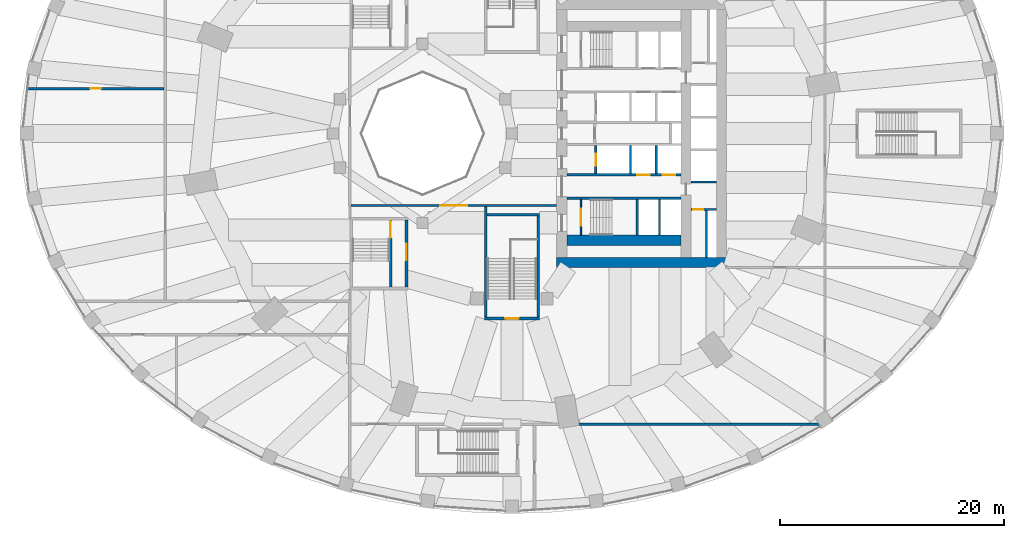
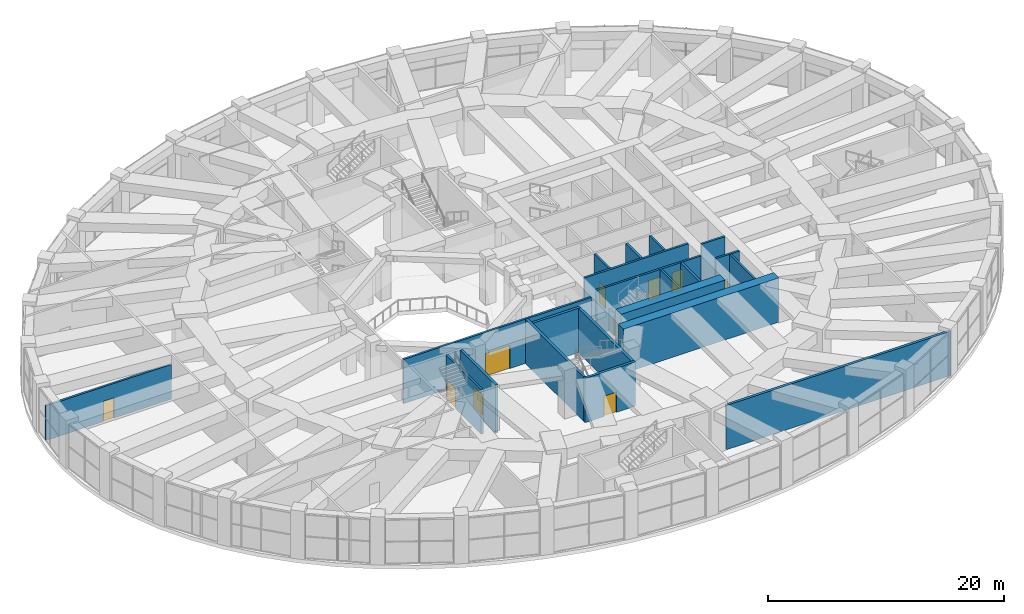
# One storey, part 22 of 32: 22 walls, 10 doors, 10 openings.
"""IFC4 building model written with IfcOpenShell, lengths in metres."""

from ifc_helpers import new_model, si_unit, direction, frame, frame_2d, origin, place, context, subcontext, project, spatial, rectangle, extrude, material, layer, layer_set, type_object, element, fill, save


model = new_model("IFC4")

# Units and contexts
model_context = context("Model", 3, precision=1e-05, world=origin(), true_north=direction((0.0, 1.0)))
body_context = subcontext(model_context, "Body", "Model", "MODEL_VIEW")
ifc_project = project(units=[si_unit("LENGTHUNIT", "METRE"), si_unit("AREAUNIT", "SQUARE_METRE"), si_unit("VOLUMEUNIT", "CUBIC_METRE"), si_unit("PLANEANGLEUNIT", "RADIAN"), si_unit("MASSUNIT", "GRAM", prefix="KILO")], contexts=[model_context])

# Site, building, storey
site_placement = place(None, origin())
site = spatial("IfcSite", under=ifc_project, at=site_placement, CompositionType="ELEMENT")
building_placement = place(site_placement, origin())
building = spatial("IfcBuilding", under=site, at=building_placement, Name="Taillehof Tower", CompositionType="ELEMENT")
storey_placement = place(building_placement, frame((0.0, 0.0, 7.5)))
storey = spatial("IfcBuildingStorey", under=building, at=storey_placement, Name="L01", CompositionType="ELEMENT", Elevation=7.5)

# Wall, opening, door
ifc_material_1 = material(Name="Calcium silicate blockwork", Category="masonry")
ifc_layer_1 = layer(ifc_material_1, 0.199951171875)
ifc_layer_set_1 = layer_set([ifc_layer_1], Name="Compartment wall EI 60 200 mm")
wall_type_1 = type_object("IfcWallType", Name="Compartment wall EI 60 200 mm", PredefinedType="PARTITIONING", material=ifc_layer_set_1)
wall_1_placement = place(storey_placement, frame((-14.39990234375, -6.449951171875, 0.0), z_axis=(0.0, 0.0, 1.0), x_axis=(1.0, 0.0, 0.0)))
wall_1 = element("IfcWall", 1, at=wall_1_placement, inside=storey, type_object=wall_type_1, Name="Wall L01-17 / L01-27", PredefinedType="PARTITIONING", context=body_context, shape_type="SweptSolid", body=[
    extrude(rectangle(XDim=18.40185546875, YDim=0.199951171875, at=frame_2d((9.200927734375, 0.0))), origin(), (0.0, 0.0, 1.0), 4.590087890625),
])
opening_1_placement = place(wall_1_placement, frame((8.0009765625, 0.0, 0.0)))
opening_1 = element("IfcOpeningElement", 2, at=opening_1_placement, cuts=wall_1, Name="Opening D0151", PredefinedType="OPENING", context=body_context, shape_type="SweptSolid", body=[
    extrude(rectangle(XDim=2.39990234375, YDim=2.39990234375, at=frame_2d((1.199951171875, 1.199951171875))), frame((0.0, 0.10986328125, 0.0), z_axis=(0.0, -1.0, 0.0), x_axis=(1.0, 0.0, 0.0)), (0.0, 0.0, 1.0), 0.219970703125),
])
ifc_material_2 = material(Name="Glazed aluminium door set", Category="aluminium")
door_type_1 = type_object("IfcDoorType", Name="Glazed double door 2400 x 2400 FD60S", OperationType="DOUBLE_DOOR_SINGLE_SWING", PredefinedType="DOOR", material=ifc_material_2)
door_1_placement = place(opening_1_placement, origin())
door_1 = element("IfcDoor", 3, at=door_1_placement, inside=storey, type_object=door_type_1, Name="Door D0151", OperationType="DOUBLE_DOOR_SINGLE_SWING", OverallHeight=2.39990234375, OverallWidth=2.39990234375, PredefinedType="DOOR", context=body_context, shape_type="SweptSolid", body=[
    extrude(rectangle(XDim=2.39990234375, YDim=2.39990234375, at=frame_2d((1.199951171875, 1.199951171875))), frame((0.0, 0.02490234375, 0.0), z_axis=(0.0, -1.0, 0.0), x_axis=(1.0, 0.0, 0.0)), (0.0, 0.0, 1.0), 0.050048828125),
])
fill(opening_1, door_1)

wall_2_placement = place(storey_placement, frame((-43.37158203125, 4.0, 0.0), z_axis=(0.0, 0.0, 1.0), x_axis=(1.0, 0.0, 0.0)))
wall_2 = element("IfcWall", 4, at=wall_2_placement, inside=storey, type_object=wall_type_1, Name="Wall L01-18 / L01-19", PredefinedType="PARTITIONING", context=body_context, shape_type="SweptSolid", body=[
    extrude(rectangle(XDim=12.271484375, YDim=0.199951171875, at=frame_2d((6.1357421875, 0.0))), origin(), (0.0, 0.0, 1.0), 3.590087890625),
])
opening_2_placement = place(wall_2_placement, frame((5.635498046875, 0.0, 0.0)))
opening_2 = element("IfcOpeningElement", 5, at=opening_2_placement, cuts=wall_2, Name="Opening D0155", PredefinedType="OPENING", context=body_context, shape_type="SweptSolid", body=[
    extrude(rectangle(XDim=1.0, YDim=2.10009765625, at=frame_2d((0.5, 1.050048828125))), frame((0.0, 0.10986328125, 0.0), z_axis=(0.0, -1.0, 0.0), x_axis=(1.0, 0.0, 0.0)), (0.0, 0.0, 1.0), 0.219970703125),
])
ifc_material_3 = material(Name="Hollow metal door set")
door_type_2 = type_object("IfcDoorType", Name="Single door 1000 x 2100 FD60S", OperationType="SINGLE_SWING_LEFT", PredefinedType="DOOR", material=ifc_material_3)
door_2_placement = place(opening_2_placement, origin())
door_2 = element("IfcDoor", 6, at=door_2_placement, inside=storey, type_object=door_type_2, Name="Door D0155", OperationType="SINGLE_SWING_RIGHT", OverallHeight=2.10009765625, OverallWidth=1.0, PredefinedType="DOOR", context=body_context, shape_type="SweptSolid", body=[
    extrude(rectangle(XDim=1.0, YDim=2.10009765625, at=frame_2d((0.5, 1.050048828125))), frame((0.0, 0.02490234375, 0.0), z_axis=(0.0, -1.0, 0.0), x_axis=(1.0, 0.0, 0.0)), (0.0, 0.0, 1.0), 0.050048828125),
])
fill(opening_2, door_2)

ifc_material_4 = material(Name="Calcium silicate masonry", Category="masonry")
ifc_layer_2 = layer(ifc_material_4, 0.199951171875)
ifc_layer_set_2 = layer_set([ifc_layer_2], Name="Compartment wall calcium silicate 200")
wall_type_2 = type_object("IfcWallType", Name="Compartment wall calcium silicate 200", PredefinedType="PARTITIONING", material=ifc_layer_set_2)
wall_3_placement = place(storey_placement, frame((16.0, -6.800048828125, 0.0), z_axis=(0.0, 0.0, 1.0), x_axis=(1.0, 0.0, 0.0)))
wall_3 = element("IfcWall", 7, at=wall_3_placement, inside=storey, type_object=wall_type_2, Name="Compartment wall FW", PredefinedType="PARTITIONING", context=body_context, shape_type="SweptSolid", body=[
    extrude(rectangle(XDim=2.300048828125, YDim=0.199951171875, at=frame_2d((1.14990234375, 0.0))), origin(), (0.0, 0.0, 1.0), 4.590087890625),
])
opening_3_placement = place(wall_3_placement, frame((0.199951171875, 0.0, 0.0)))
opening_3 = element("IfcOpeningElement", 8, at=opening_3_placement, cuts=wall_3, Name="Opening D0116", PredefinedType="OPENING", context=body_context, shape_type="SweptSolid", body=[
    extrude(rectangle(XDim=0.89990234375, YDim=2.10009765625, at=frame_2d((0.449951171875, 1.050048828125))), frame((0.0, 0.10986328125, 0.0), z_axis=(0.0, -1.0, 0.0), x_axis=(1.0, 0.0, 0.0)), (0.0, 0.0, 1.0), 0.219970703125),
])
ifc_material_5 = material(Name="Steel-faced fire door", Category="steel")
door_type_3 = type_object("IfcDoorType", Name="Riser and service room door 900x2100", OperationType="SINGLE_SWING_LEFT", PredefinedType="DOOR", material=ifc_material_5)
door_3_placement = place(opening_3_placement, origin())
door_3 = element("IfcDoor", 9, at=door_3_placement, inside=storey, type_object=door_type_3, Name="Door Linen Store", OperationType="SINGLE_SWING_LEFT", OverallHeight=2.10009765625, OverallWidth=0.89990234375, PredefinedType="DOOR", context=body_context, shape_type="SweptSolid", body=[
    extrude(rectangle(XDim=0.89990234375, YDim=2.10009765625, at=frame_2d((0.449951171875, 1.050048828125))), frame((0.0, 0.02490234375, 0.0), z_axis=(0.0, -1.0, 0.0), x_axis=(1.0, 0.0, 0.0)), (0.0, 0.0, 1.0), 0.050048828125),
])
fill(opening_3, door_3)

# Walls
wall_4_placement = place(storey_placement, frame((17.39990234375, -11.10009765625, 0.0), z_axis=(0.0, 0.0, 1.0), x_axis=(0.0, 1.0, 0.0)))
element("IfcWall", 10, at=wall_4_placement, inside=storey, type_object=wall_type_2, Name="Compartment wall FW", PredefinedType="PARTITIONING", context=body_context, shape_type="SweptSolid", body=[
    extrude(rectangle(XDim=4.2001953125, YDim=0.199951171875, at=frame_2d((2.10009765625, 0.0))), origin(), (0.0, 0.0, 1.0), 4.590087890625),
])
ifc_material_6 = material(Name="Concrete C80/95", Category="concrete")
ifc_layer_3 = layer(ifc_material_6, 0.89990234375)
ifc_layer_set_3 = layer_set([ifc_layer_3], Name="Core wall C80/95 900")
wall_type_3 = type_object("IfcWallType", Name="Core wall C80/95 900", PredefinedType="SHEAR", material=ifc_layer_set_3)
wall_5_placement = place(storey_placement, frame((4.0, -11.550048828125, 0.0), z_axis=(0.0, 0.0, 1.0), x_axis=(1.0, 0.0, 0.0)))
element("IfcWall", 11, at=wall_5_placement, inside=storey, type_object=wall_type_3, Name="Core wall CW04", PredefinedType="SHEAR", context=body_context, shape_type="SweptSolid", body=[
    extrude(rectangle(XDim=15.199951171875, YDim=0.89990234375, at=frame_2d((7.60009765625, 0.0))), origin(), (0.0, 0.0, 1.0), 4.590087890625),
])
wall_6_placement = place(storey_placement, frame((4.89990234375, -9.550048828125, 0.0), z_axis=(0.0, 0.0, 1.0), x_axis=(1.0, 0.0, 0.0)))
element("IfcWall", 12, at=wall_6_placement, inside=storey, type_object=wall_type_3, Name="Core wall CW07", PredefinedType="SHEAR", context=body_context, shape_type="SweptSolid", body=[
    extrude(rectangle(XDim=10.2001953125, YDim=0.89990234375, at=frame_2d((5.10009765625, 0.0))), origin(), (0.0, 0.0, 1.0), 4.590087890625),
])
ifc_material_7 = material(Name="Calcium silicate blockwork", Category="masonry")
ifc_layer_4 = layer(ifc_material_7, 0.25)
ifc_layer_set_4 = layer_set([ifc_layer_4], Name="Fire-resisting wall EI 120 250 mm")
wall_type_4 = type_object("IfcWallType", Name="Fire-resisting wall EI 120 250 mm", PredefinedType="PARTITIONING", material=ifc_layer_set_4)
wall_7_placement = place(storey_placement, frame((5.897216796875, -26.0, 0.0), z_axis=(0.0, 0.0, 1.0), x_axis=(1.0, 0.0, 0.0)))
element("IfcWall", 13, at=wall_7_placement, inside=storey, type_object=wall_type_4, Name="Wall L01-15 / L01-17", PredefinedType="PARTITIONING", context=body_context, shape_type="SweptSolid", body=[
    extrude(rectangle(XDim=22.008544921875, YDim=0.25, at=frame_2d((11.00439453125, 0.0))), origin(), (0.0, 0.0, 1.0), 4.590087890625),
])

# Wall, openings, doors
ifc_material_8 = material(Name="Concrete C50/60", Category="concrete")
ifc_layer_5 = layer(ifc_material_8, 0.199951171875)
ifc_layer_set_5 = layer_set([ifc_layer_5], Name="Shaft wall C50/60 200")
wall_type_5 = type_object("IfcWallType", Name="Shaft wall C50/60 200", PredefinedType="SHEAR", material=ifc_layer_set_5)
wall_8_placement = place(storey_placement, frame((4.89990234375, -3.699951171875, 0.0), z_axis=(0.0, 0.0, 1.0), x_axis=(1.0, 0.0, 0.0)))
wall_8 = element("IfcWall", 14, at=wall_8_placement, inside=storey, type_object=wall_type_5, Name="Shaft wall SW", PredefinedType="SHEAR", context=body_context, shape_type="SweptSolid", body=[
    extrude(rectangle(XDim=10.2001953125, YDim=0.199951171875, at=frame_2d((5.10009765625, 0.0))), origin(), (0.0, 0.0, 1.0), 4.590087890625),
])
opening_4_placement = place(wall_8_placement, frame((6.300048828125, 0.0, 0.0)))
opening_4 = element("IfcOpeningElement", 15, at=opening_4_placement, cuts=wall_8, Name="Opening LD1", PredefinedType="OPENING", context=body_context, shape_type="SweptSolid", body=[
    extrude(rectangle(XDim=1.10009765625, YDim=2.10009765625, at=frame_2d((0.550048828125, 1.050048828125))), frame((0.0, 0.10986328125, 0.0), z_axis=(0.0, -1.0, 0.0), x_axis=(1.0, 0.0, 0.0)), (0.0, 0.0, 1.0), 0.219970703125),
])
opening_5_placement = place(wall_8_placement, frame((8.60009765625, 0.0, 0.0)))
opening_5 = element("IfcOpeningElement", 16, at=opening_5_placement, cuts=wall_8, Name="Opening LD1", PredefinedType="OPENING", context=body_context, shape_type="SweptSolid", body=[
    extrude(rectangle(XDim=1.10009765625, YDim=2.10009765625, at=frame_2d((0.550048828125, 1.050048828125))), frame((0.0, 0.10986328125, 0.0), z_axis=(0.0, -1.0, 0.0), x_axis=(1.0, 0.0, 0.0)), (0.0, 0.0, 1.0), 0.219970703125),
])
ifc_material_9 = material(Name="Stainless steel", Category="steel")
door_type_4 = type_object("IfcDoorType", Name="Lift landing door LD1 1100x2100", OperationType="DOUBLE_DOOR_SLIDING", PredefinedType="DOOR", material=ifc_material_9)
door_4_placement = place(opening_4_placement, origin())
door_4 = element("IfcDoor", 17, at=door_4_placement, inside=storey, type_object=door_type_4, Name="Landing door LR5", OperationType="DOUBLE_DOOR_SLIDING", OverallHeight=2.10009765625, OverallWidth=1.10009765625, PredefinedType="DOOR", context=body_context, shape_type="SweptSolid", body=[
    extrude(rectangle(XDim=1.10009765625, YDim=2.10009765625, at=frame_2d((0.550048828125, 1.050048828125))), frame((0.0, 0.02490234375, 0.0), z_axis=(0.0, -1.0, 0.0), x_axis=(1.0, 0.0, 0.0)), (0.0, 0.0, 1.0), 0.050048828125),
])
fill(opening_4, door_4)
door_5_placement = place(opening_5_placement, origin())
door_5 = element("IfcDoor", 18, at=door_5_placement, inside=storey, type_object=door_type_4, Name="Landing door LR6", OperationType="DOUBLE_DOOR_SLIDING", OverallHeight=2.10009765625, OverallWidth=1.10009765625, PredefinedType="DOOR", context=body_context, shape_type="SweptSolid", body=[
    extrude(rectangle(XDim=1.10009765625, YDim=2.10009765625, at=frame_2d((0.550048828125, 1.050048828125))), frame((0.0, 0.02490234375, 0.0), z_axis=(0.0, -1.0, 0.0), x_axis=(1.0, 0.0, 0.0)), (0.0, 0.0, 1.0), 0.050048828125),
])
fill(opening_5, door_5)

# Walls
wall_9_placement = place(storey_placement, frame((4.89990234375, -5.800048828125, 0.0), z_axis=(0.0, 0.0, 1.0), x_axis=(1.0, 0.0, 0.0)))
element("IfcWall", 19, at=wall_9_placement, inside=storey, type_object=wall_type_5, Name="Shaft wall SW", PredefinedType="SHEAR", context=body_context, shape_type="SweptSolid", body=[
    extrude(rectangle(XDim=10.2001953125, YDim=0.199951171875, at=frame_2d((5.10009765625, 0.0))), origin(), (0.0, 0.0, 1.0), 4.590087890625),
])
for number, where, z_axis, x_axis, name in (
    (20, (11.199951171875, -9.10009765625, 0.0), (0.0, 0.0, 1.0), (0.0, 1.0, 0.0), "Shaft wall SW"),
    (21, (13.199951171875, -9.10009765625, 0.0), (0.0, 0.0, 1.0), (0.0, 1.0, 0.0), "Shaft wall SW"),
):
    element("IfcWall", number, at=place(storey_placement, frame(where, z_axis=z_axis, x_axis=x_axis)), inside=storey, type_object=wall_type_5, Name=name, PredefinedType="SHEAR", context=body_context, shape_type="SweptSolid", body=[
        extrude(rectangle(XDim=3.2001953125, YDim=0.199951171875, at=frame_2d((1.60009765625, 0.0))), origin(), (0.0, 0.0, 1.0), 4.590087890625),
    ])

# Wall, opening, door
wall_10_placement = place(storey_placement, frame((7.5, -3.60009765625, 0.0), z_axis=(0.0, 0.0, 1.0), x_axis=(0.0, 1.0, 0.0)))
wall_10 = element("IfcWall", 22, at=wall_10_placement, inside=storey, type_object=wall_type_5, Name="Shaft wall SW", PredefinedType="SHEAR", context=body_context, shape_type="SweptSolid", body=[
    extrude(rectangle(XDim=2.5, YDim=0.199951171875, at=frame_2d((1.25, 0.0))), origin(), (0.0, 0.0, 1.0), 4.590087890625),
])
opening_6_placement = place(wall_10_placement, frame((0.699951171875, 0.0, 0.0)))
opening_6 = element("IfcOpeningElement", 23, at=opening_6_placement, cuts=wall_10, Name="Opening LD1", PredefinedType="OPENING", context=body_context, shape_type="SweptSolid", body=[
    extrude(rectangle(XDim=1.10009765625, YDim=2.10009765625, at=frame_2d((0.550048828125, 1.050048828125))), frame((0.0, 0.10986328125, 0.0), z_axis=(0.0, -1.0, 0.0), x_axis=(1.0, 0.0, 0.0)), (0.0, 0.0, 1.0), 0.219970703125),
])
door_6_placement = place(opening_6_placement, origin())
door_6 = element("IfcDoor", 24, at=door_6_placement, inside=storey, type_object=door_type_4, Name="Landing door FF2", OperationType="DOUBLE_DOOR_SLIDING", OverallHeight=2.10009765625, OverallWidth=1.10009765625, PredefinedType="DOOR", context=body_context, shape_type="SweptSolid", body=[
    extrude(rectangle(XDim=1.10009765625, YDim=2.10009765625, at=frame_2d((0.550048828125, 1.050048828125))), frame((0.0, 0.02490234375, 0.0), z_axis=(0.0, -1.0, 0.0), x_axis=(1.0, 0.0, 0.0)), (0.0, 0.0, 1.0), 0.050048828125),
])
fill(opening_6, door_6)

# Walls
for number, where, z_axis, x_axis, name in (
    (25, (10.60009765625, -3.60009765625, 0.0), (0.0, 0.0, 1.0), (0.0, 1.0, 0.0), "Shaft wall SW"),
    (26, (12.89990234375, -3.60009765625, 0.0), (0.0, 0.0, 1.0), (0.0, 1.0, 0.0), "Shaft wall SW"),
):
    element("IfcWall", number, at=place(storey_placement, frame(where, z_axis=z_axis, x_axis=x_axis)), inside=storey, type_object=wall_type_5, Name=name, PredefinedType="SHEAR", context=body_context, shape_type="SweptSolid", body=[
        extrude(rectangle(XDim=2.5, YDim=0.199951171875, at=frame_2d((1.25, 0.0))), origin(), (0.0, 0.0, 1.0), 4.590087890625),
    ])

# Wall, opening, door
wall_11_placement = place(storey_placement, frame((-10.85009765625, -13.75, 0.0), z_axis=(0.0, 0.0, 1.0), x_axis=(0.0, 1.0, 0.0)))
wall_11 = element("IfcWall", 27, at=wall_11_placement, inside=storey, type_object=wall_type_5, Name="Shaft wall SW", PredefinedType="SHEAR", context=body_context, shape_type="SweptSolid", body=[
    extrude(rectangle(XDim=6.0, YDim=0.199951171875, at=frame_2d((3.0, 0.0))), origin(), (0.0, 0.0, 1.0), 4.590087890625),
])
opening_7_placement = place(wall_11_placement, frame((4.39990234375, 0.0, 0.0)))
opening_7 = element("IfcOpeningElement", 28, at=opening_7_placement, cuts=wall_11, Name="Opening D0111", PredefinedType="OPENING", context=body_context, shape_type="SweptSolid", body=[
    extrude(rectangle(XDim=1.5, YDim=2.10009765625, at=frame_2d((0.75, 1.050048828125))), frame((0.0, 0.10986328125, 0.0), z_axis=(0.0, -1.0, 0.0), x_axis=(1.0, 0.0, 0.0)), (0.0, 0.0, 1.0), 0.219970703125),
])
ifc_material_10 = material(Name="Steel-faced fire door", Category="steel")
door_type_5 = type_object("IfcDoorType", Name="Stair door 1500x2100", OperationType="DOUBLE_DOOR_SINGLE_SWING", PredefinedType="DOOR", material=ifc_material_10)
door_7_placement = place(opening_7_placement, origin())
door_7 = element("IfcDoor", 29, at=door_7_placement, inside=storey, type_object=door_type_5, Name="Stair lobby door S4", OperationType="DOUBLE_DOOR_SINGLE_SWING", OverallHeight=2.10009765625, OverallWidth=1.5, PredefinedType="DOOR", context=body_context, shape_type="SweptSolid", body=[
    extrude(rectangle(XDim=1.5, YDim=2.10009765625, at=frame_2d((0.75, 1.050048828125))), frame((0.0, 0.02490234375, 0.0), z_axis=(0.0, -1.0, 0.0), x_axis=(1.0, 0.0, 0.0)), (0.0, 0.0, 1.0), 0.050048828125),
])
fill(opening_7, door_7)

# Wall
wall_12_placement = place(storey_placement, frame((16.0, -4.35009765625, 0.0), z_axis=(0.0, 0.0, 1.0), x_axis=(1.0, 0.0, 0.0)))
element("IfcWall", 30, at=wall_12_placement, inside=storey, type_object=wall_type_5, Name="Shaft wall SW", PredefinedType="SHEAR", context=body_context, shape_type="SweptSolid", body=[
    extrude(rectangle(XDim=2.300048828125, YDim=0.199951171875, at=frame_2d((1.14990234375, 0.0))), origin(), (0.0, 0.0, 1.0), 4.590087890625),
])

# Wall, opening, door
ifc_material_11 = material(Name="Concrete C50/60", Category="concrete")
ifc_layer_6 = layer(ifc_material_11, 0.1201171875)
ifc_layer_set_6 = layer_set([ifc_layer_6], Name="Stair lobby wall C50/60 120")
wall_type_6 = type_object("IfcWallType", Name="Stair lobby wall C50/60 120", PredefinedType="SHEAR", material=ifc_layer_set_6)
wall_13_placement = place(storey_placement, frame((6.159912109375, -9.10009765625, 0.0), z_axis=(0.0, 0.0, 1.0), x_axis=(0.0, 1.0, 0.0)))
wall_13 = element("IfcWall", 31, at=wall_13_placement, inside=storey, type_object=wall_type_6, Name="Compartment wall SW", PredefinedType="SHEAR", context=body_context, shape_type="SweptSolid", body=[
    extrude(rectangle(XDim=3.2001953125, YDim=0.1201171875, at=frame_2d((1.60009765625, 0.0))), origin(), (0.0, 0.0, 1.0), 2.2900390625),
])
opening_8_placement = place(wall_13_placement, frame((0.85009765625, 0.0, 0.0)))
opening_8 = element("IfcOpeningElement", 32, at=opening_8_placement, cuts=wall_13, Name="Opening D0109", PredefinedType="OPENING", context=body_context, shape_type="SweptSolid", body=[
    extrude(rectangle(XDim=1.5, YDim=2.10009765625, at=frame_2d((0.75, 1.050048828125))), frame((0.0, 0.070068359375, 0.0), z_axis=(0.0, -1.0, 0.0), x_axis=(1.0, 0.0, 0.0)), (0.0, 0.0, 1.0), 0.14013671875),
])
door_8_placement = place(opening_8_placement, origin())
door_8 = element("IfcDoor", 33, at=door_8_placement, inside=storey, type_object=door_type_5, Name="Stair lobby door S2", OperationType="DOUBLE_DOOR_SINGLE_SWING", OverallHeight=2.10009765625, OverallWidth=1.5, PredefinedType="DOOR", context=body_context, shape_type="SweptSolid", body=[
    extrude(rectangle(XDim=1.5, YDim=2.10009765625, at=frame_2d((0.75, 1.050048828125))), frame((0.0, 0.02490234375, 0.0), z_axis=(0.0, -1.0, 0.0), x_axis=(1.0, 0.0, 0.0)), (0.0, 0.0, 1.0), 0.050048828125),
])
fill(opening_8, door_8)

ifc_material_12 = material(Name="Concrete C50/60", Category="concrete")
ifc_layer_7 = layer(ifc_material_12, 0.25)
ifc_layer_set_7 = layer_set([ifc_layer_7], Name="Stair wall C50/60 250")
wall_type_7 = type_object("IfcWallType", Name="Stair wall C50/60 250", PredefinedType="SHEAR", material=ifc_layer_set_7)
wall_14_placement = place(storey_placement, frame((-9.425048828125, -13.75, -0.409912109375), z_axis=(0.0, 0.0, 1.0), x_axis=(0.0, 1.0, 0.0)))
wall_14 = element("IfcWall", 34, at=wall_14_placement, inside=storey, type_object=wall_type_7, Name="Stair wall SC", PredefinedType="SHEAR", context=body_context, shape_type="SweptSolid", body=[
    extrude(rectangle(XDim=6.0, YDim=0.25, at=frame_2d((3.0, 0.0))), origin(), (0.0, 0.0, 1.0), 5.0),
])
opening_9_placement = place(wall_14_placement, frame((2.39990234375, 0.0, 0.409912109375)))
opening_9 = element("IfcOpeningElement", 35, at=opening_9_placement, cuts=wall_14, Name="Opening D0118", PredefinedType="OPENING", context=body_context, shape_type="SweptSolid", body=[
    extrude(rectangle(XDim=1.5, YDim=2.10009765625, at=frame_2d((0.75, 1.050048828125))), frame((0.0, 0.135009765625, 0.0), z_axis=(0.0, -1.0, 0.0), x_axis=(1.0, 0.0, 0.0)), (0.0, 0.0, 1.0), 0.27001953125),
])
door_9_placement = place(opening_9_placement, origin())
door_9 = element("IfcDoor", 36, at=door_9_placement, inside=storey, type_object=door_type_5, Name="Stair door S4", OperationType="DOUBLE_DOOR_SINGLE_SWING", OverallHeight=2.10009765625, OverallWidth=1.5, PredefinedType="DOOR", context=body_context, shape_type="SweptSolid", body=[
    extrude(rectangle(XDim=1.5, YDim=2.10009765625, at=frame_2d((0.75, 1.050048828125))), frame((0.0, 0.02490234375, 0.0), z_axis=(0.0, -1.0, 0.0), x_axis=(1.0, 0.0, 0.0)), (0.0, 0.0, 1.0), 0.050048828125),
])
fill(opening_9, door_9)

ifc_material_13 = material(Name="Concrete C40/50", Category="concrete")
ifc_layer_8 = layer(ifc_material_13, 0.25)
ifc_layer_set_8 = layer_set([ifc_layer_8], Name="Stair wall EI 120 250 mm")
wall_type_8 = type_object("IfcWallType", Name="Stair wall EI 120 250 mm", PredefinedType="SOLIDWALL", material=ifc_layer_set_8)
wall_15_placement = place(storey_placement, frame((-2.47509765625, -16.544921875, 0.0), z_axis=(0.0, 0.0, 1.0), x_axis=(1.0, 0.0, 0.0)))
wall_15 = element("IfcWall", 37, at=wall_15_placement, inside=storey, type_object=wall_type_8, Name="Wall L01-02 / L01-17", PredefinedType="SOLIDWALL", context=body_context, shape_type="SweptSolid", body=[
    extrude(rectangle(XDim=4.9501953125, YDim=0.25, at=frame_2d((2.47509765625, 0.0))), origin(), (0.0, 0.0, 1.0), 4.590087890625),
])
opening_10_placement = place(wall_15_placement, frame((1.875, 0.0, 0.0)))
opening_10 = element("IfcOpeningElement", 38, at=opening_10_placement, cuts=wall_15, Name="Opening D0147", PredefinedType="OPENING", context=body_context, shape_type="SweptSolid", body=[
    extrude(rectangle(XDim=1.199951171875, YDim=2.10009765625, at=frame_2d((0.60009765625, 1.050048828125))), frame((0.0, 0.135009765625, 0.0), z_axis=(0.0, -1.0, 0.0), x_axis=(1.0, 0.0, 0.0)), (0.0, 0.0, 1.0), 0.27001953125),
])
ifc_material_14 = material(Name="Hollow metal door set")
door_type_6 = type_object("IfcDoorType", Name="Single door 1200 x 2100 FD120S", OperationType="SINGLE_SWING_LEFT", PredefinedType="DOOR", material=ifc_material_14)
door_10_placement = place(opening_10_placement, origin())
door_10 = element("IfcDoor", 39, at=door_10_placement, inside=storey, type_object=door_type_6, Name="Door D0147", OperationType="SINGLE_SWING_LEFT", OverallHeight=2.10009765625, OverallWidth=1.199951171875, PredefinedType="DOOR", context=body_context, shape_type="SweptSolid", body=[
    extrude(rectangle(XDim=1.199951171875, YDim=2.10009765625, at=frame_2d((0.60009765625, 1.050048828125))), frame((0.0, 0.02490234375, 0.0), z_axis=(0.0, -1.0, 0.0), x_axis=(1.0, 0.0, 0.0)), (0.0, 0.0, 1.0), 0.050048828125),
])
fill(opening_10, door_10)

# Walls
wall_16_placement = place(storey_placement, frame((-2.22509765625, -7.27490234375, 0.0), z_axis=(0.0, 0.0, 1.0), x_axis=(1.0, 0.0, 0.0)))
element("IfcWall", 40, at=wall_16_placement, inside=storey, type_object=wall_type_8, Name="Wall L01-02 / L01-17", PredefinedType="SOLIDWALL", context=body_context, shape_type="SweptSolid", body=[
    extrude(rectangle(XDim=4.7001953125, YDim=0.25, at=frame_2d((2.35009765625, 0.0))), origin(), (0.0, 0.0, 1.0), 4.590087890625),
])
wall_17_placement = place(storey_placement, frame((-2.35009765625, -16.419921875, 0.0), z_axis=(0.0, 0.0, 1.0), x_axis=(0.0, 1.0, 0.0)))
element("IfcWall", 41, at=wall_17_placement, inside=storey, type_object=wall_type_8, Name="Wall L01-02 / L01-17", PredefinedType="SOLIDWALL", context=body_context, shape_type="SweptSolid", body=[
    extrude(rectangle(XDim=9.869873046875, YDim=0.25, at=frame_2d((4.93505859375, 0.0))), origin(), (0.0, 0.0, 1.0), 4.590087890625),
])
wall_18_placement = place(storey_placement, frame((2.35009765625, -16.419921875, 0.0), z_axis=(0.0, 0.0, 1.0), x_axis=(0.0, 1.0, 0.0)))
element("IfcWall", 42, at=wall_18_placement, inside=storey, type_object=wall_type_8, Name="Wall L01-02 / L01-17", PredefinedType="SOLIDWALL", context=body_context, shape_type="SweptSolid", body=[
    extrude(rectangle(XDim=9.02001953125, YDim=0.25, at=frame_2d((4.510009765625, 0.0))), origin(), (0.0, 0.0, 1.0), 4.590087890625),
])

save(model, "model.ifc")
